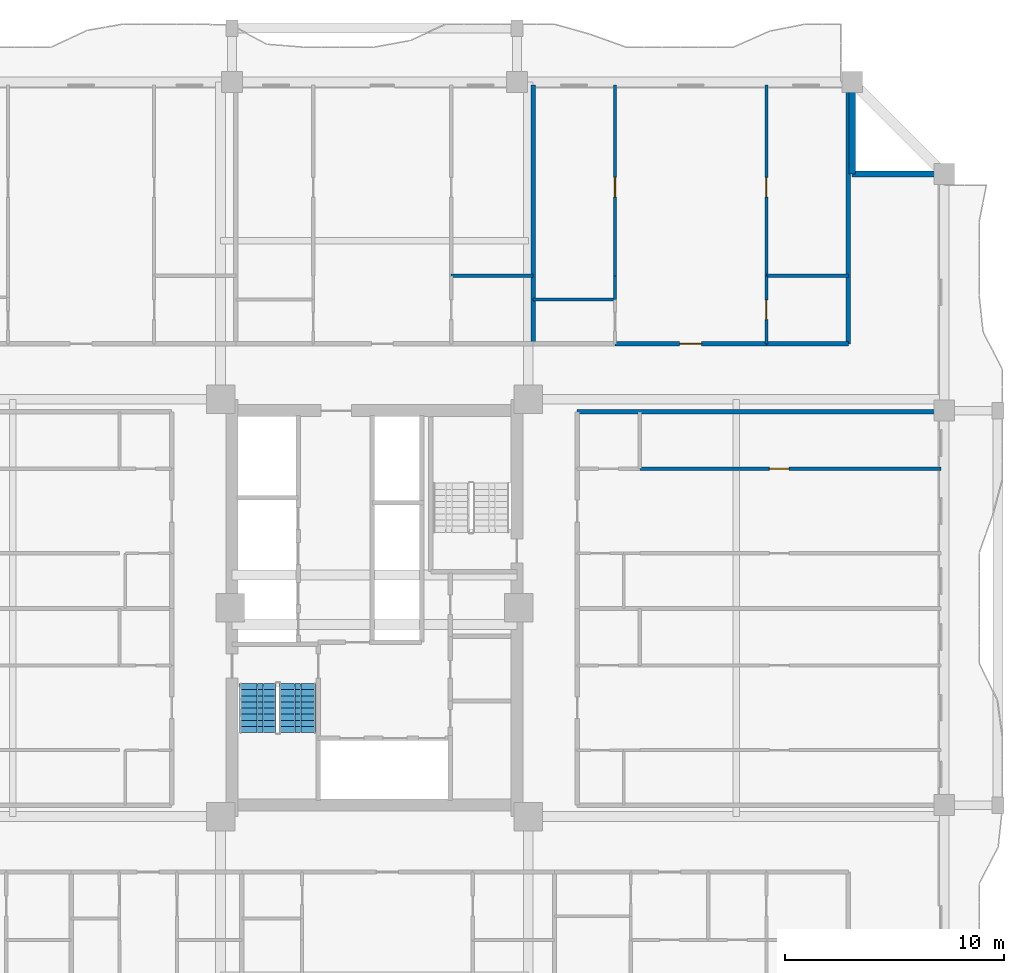
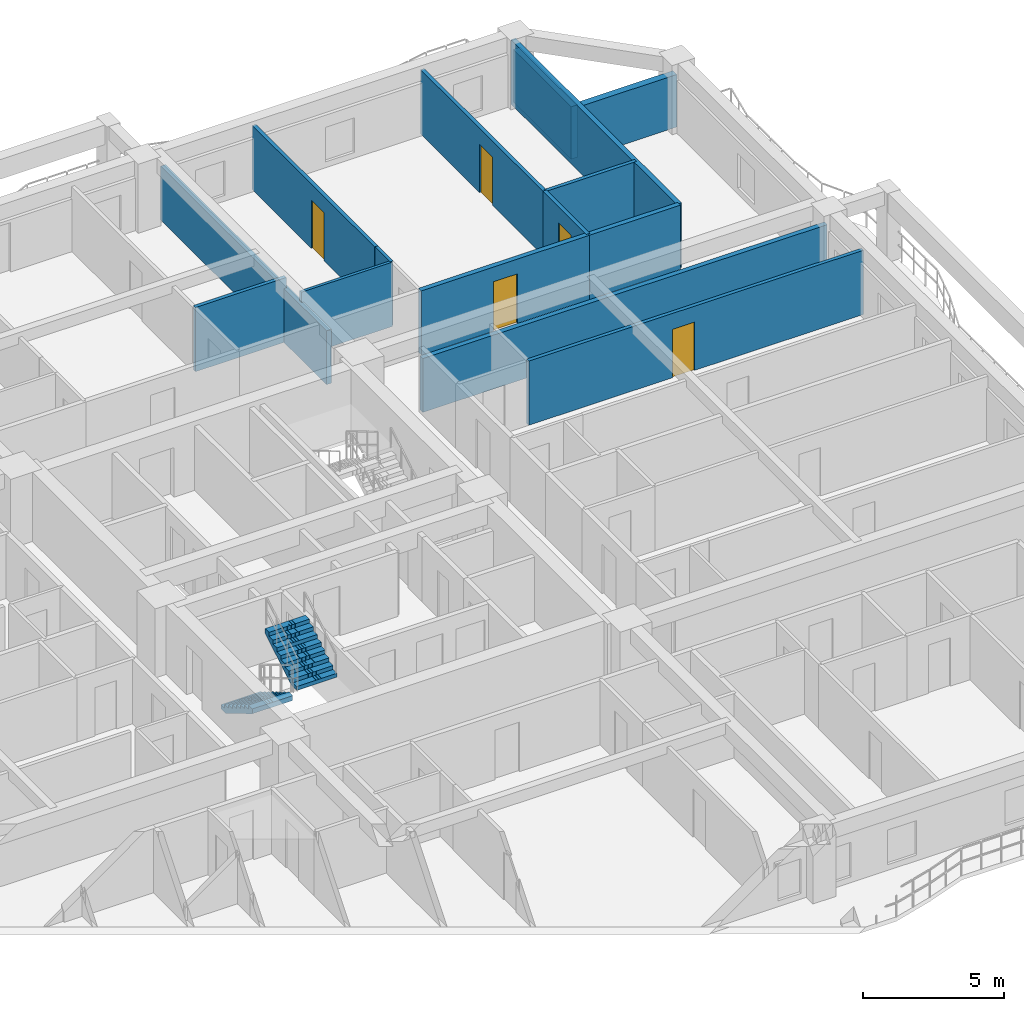
# One storey, part 8 of 15: 15 walls, 5 doors, 2 stair flights, 5 openings, 1 element without a shape of its own.
"""IFC4 building model written with IfcOpenShell, lengths in metres."""

from ifc_helpers import new_model, si_unit, direction, frame, frame_2d, origin, place, context, subcontext, project, spatial, polyline, rectangle, outline, extrude, source, transform, mapped, material, layer, layer_set, type_object, element, fill, aggregate, save


model = new_model("IFC4")

# Units and contexts
model_context = context("Model", 3, precision=1e-05, world=origin(), true_north=direction((0.0, 1.0)))
body_context = subcontext(model_context, "Body", "Model", "MODEL_VIEW")
ifc_project = project(units=[si_unit("LENGTHUNIT", "METRE"), si_unit("AREAUNIT", "SQUARE_METRE"), si_unit("VOLUMEUNIT", "CUBIC_METRE"), si_unit("PLANEANGLEUNIT", "RADIAN"), si_unit("MASSUNIT", "GRAM", prefix="KILO")], contexts=[model_context])

# Site, building, storey
site_placement = place(None, origin())
site = spatial("IfcSite", under=ifc_project, at=site_placement, CompositionType="ELEMENT")
building_placement = place(site_placement, origin())
building = spatial("IfcBuilding", under=site, at=building_placement, Name="Saelheon Loggia Tower", CompositionType="ELEMENT")
storey_placement = place(building_placement, frame((0.0, 0.0, 77.85009765625)))
storey = spatial("IfcBuildingStorey", under=building, at=storey_placement, Name="L24", CompositionType="ELEMENT", Elevation=77.85009765625)

# Walls
ifc_material_1 = material(Name="Architectural Precast Concrete C40/50", Category="concrete")
ifc_layer_1 = layer(ifc_material_1, 0.280029296875)
ifc_layer_set_1 = layer_set([ifc_layer_1], Name="Architectural Precast Concrete C40/50")
wall_type_1 = type_object("IfcWallType", Name="Wall_Ext_Loggia_280", PredefinedType="SOLIDWALL", material=ifc_layer_set_1)
for number, where, z_axis, x_axis, name in (
    (1, (59.800048828125, 46.800048828125, 0.0), (0.0, 0.0, 1.0), (0.0, 1.0, 0.0), "L24 Corner Notch Precast Wall NE1"),
    (2, (59.800048828125, 46.800048828125, 0.0), (0.0, 0.0, 1.0), (1.0, 0.0, 0.0), "L24 Corner Notch Precast Wall NE2"),
):
    element("IfcWall", number, at=place(storey_placement, frame(where, z_axis=z_axis, x_axis=x_axis)), inside=storey, type_object=wall_type_1, Name=name, PredefinedType="SOLIDWALL", context=body_context, shape_type="SweptSolid", body=[
        extrude(rectangle(XDim=4.119873046875, YDim=0.280029296875, at=frame_2d((2.06005859375, 0.0))), origin(), (0.0, 0.0, 1.0), 2.27978515625),
    ])
ifc_material_2 = material(Name="Lightweight Autoclaved Aerated Concrete Block and Acoustic Gypsum", Category="concrete")
ifc_layer_2 = layer(ifc_material_2, 0.14990234375)
ifc_layer_set_2 = layer_set([ifc_layer_2], Name="Lightweight Autoclaved Aerated Concrete Block and Acoustic Gypsum")
wall_type_2 = type_object("IfcWallType", Name="Wall_Part_150", PredefinedType="PARTITIONING", material=ifc_layer_set_2)
for number, where, z_axis, x_axis, name in (
    (3, (41.5029296875, 42.14990234375, 0.0), (0.0, 0.0, 1.0), (1.0, 0.0, 0.0), "L24 N Partition V20"),
    (4, (55.884521484375, 42.14990234375, 0.0), (0.0, 0.0, 1.0), (1.0, 0.0, 0.0), "L24 N Partition V31"),
):
    element("IfcWall", number, at=place(storey_placement, frame(where, z_axis=z_axis, x_axis=x_axis)), inside=storey, type_object=wall_type_2, Name=name, PredefinedType="PARTITIONING", context=body_context, shape_type="SweptSolid", body=[
        extrude(rectangle(XDim=3.735595703125, YDim=0.14990234375, at=frame_2d((1.86767578125, 0.0))), origin(), (0.0, 0.0, 1.0), 2.789794921875),
    ])

# Wall, opening, door
wall_1_placement = place(storey_placement, frame((48.97412109375, 42.14990234375, 0.0), z_axis=(0.0, 0.0, 1.0), x_axis=(0.0, 1.0, 0.0)))
wall_1 = element("IfcWall", 5, at=wall_1_placement, inside=storey, type_object=wall_type_2, Name="L24 N Partition U34", PredefinedType="PARTITIONING", context=body_context, shape_type="SweptSolid", body=[
    extrude(rectangle(XDim=8.7001953125, YDim=0.14990234375, at=frame_2d((4.35009765625, 0.0))), origin(), (0.0, 0.0, 1.0), 2.789794921875),
])
opening_1_placement = place(wall_1_placement, frame((3.594970703125, 0.0, 0.0)))
opening_1 = element("IfcOpeningElement", 6, at=opening_1_placement, cuts=wall_1, Name="Opening D-IN2", PredefinedType="OPENING", context=body_context, shape_type="SweptSolid", body=[
    extrude(rectangle(XDim=0.89990234375, YDim=2.10009765625, at=frame_2d((0.449951171875, 1.050048828125))), frame((0.0, 0.0869140625, 0.0), z_axis=(0.0, -1.0, 0.0), x_axis=(1.0, 0.0, 0.0)), (0.0, 0.0, 1.0), 0.173828125),
])
ifc_material_3 = material(Name="Engineered Oak Flush Door", Category="timber")
door_type_1 = type_object("IfcDoorType", Name="Door_Int_900", OperationType="NOTDEFINED", PredefinedType="DOOR", material=ifc_material_3)
shared_shape_1 = source(origin(), body_context, "Body", "SweptSolid", [
    extrude(rectangle(XDim=0.89990234375, YDim=2.10009765625, at=frame_2d((0.449951171875, 1.050048828125))), frame((0.0, 0.02490234375, 0.0), z_axis=(0.0, -1.0, 0.0), x_axis=(1.0, 0.0, 0.0)), (0.0, 0.0, 1.0), 0.050048828125),
])
door_1_placement = place(opening_1_placement, origin())
door_1 = element("IfcDoor", 7, at=door_1_placement, inside=storey, type_object=door_type_1, Name="Unit U07 Bedroom 2 Door", OperationType="SINGLE_SWING_LEFT", OverallHeight=2.10009765625, OverallWidth=0.89990234375, PredefinedType="DOOR", context=body_context, shape_type="MappedRepresentation", body=[
    mapped(shared_shape_1, transform((0.0, 0.0, 0.0), scale=1.0)),
])
fill(opening_1, door_1)

wall_2_placement = place(storey_placement, frame((55.884521484375, 39.050048828125, 0.0), z_axis=(0.0, 0.0, 1.0), x_axis=(0.0, 1.0, 0.0)))
wall_2 = element("IfcWall", 8, at=wall_2_placement, inside=storey, type_object=wall_type_2, Name="L24 N Partition U35", PredefinedType="PARTITIONING", context=body_context, shape_type="SweptSolid", body=[
    extrude(rectangle(XDim=3.099853515625, YDim=0.14990234375, at=frame_2d((1.5498046875, 0.0))), origin(), (0.0, 0.0, 1.0), 2.789794921875),
])
opening_2_placement = place(wall_2_placement, frame((1.10009765625, 0.0, 0.0)))
opening_2 = element("IfcOpeningElement", 9, at=opening_2_placement, cuts=wall_2, Name="Opening D-IN2", PredefinedType="OPENING", context=body_context, shape_type="SweptSolid", body=[
    extrude(rectangle(XDim=0.89990234375, YDim=2.10009765625, at=frame_2d((0.449951171875, 1.050048828125))), frame((0.0, 0.0869140625, 0.0), z_axis=(0.0, -1.0, 0.0), x_axis=(1.0, 0.0, 0.0)), (0.0, 0.0, 1.0), 0.173828125),
])
door_2_placement = place(opening_2_placement, origin())
door_2 = element("IfcDoor", 10, at=door_2_placement, inside=storey, type_object=door_type_1, Name="Unit U07 Kitchen Door", OperationType="SINGLE_SWING_RIGHT", OverallHeight=2.10009765625, OverallWidth=0.89990234375, PredefinedType="DOOR", context=body_context, shape_type="MappedRepresentation", body=[
    mapped(shared_shape_1, transform((0.0, 0.0, 0.0), scale=1.0)),
])
fill(opening_2, door_2)

wall_3_placement = place(storey_placement, frame((55.884521484375, 42.14990234375, 0.0), z_axis=(0.0, 0.0, 1.0), x_axis=(0.0, 1.0, 0.0)))
wall_3 = element("IfcWall", 11, at=wall_3_placement, inside=storey, type_object=wall_type_2, Name="L24 N Partition U36", PredefinedType="PARTITIONING", context=body_context, shape_type="SweptSolid", body=[
    extrude(rectangle(XDim=8.7001953125, YDim=0.14990234375, at=frame_2d((4.35009765625, 0.0))), origin(), (0.0, 0.0, 1.0), 2.789794921875),
])
opening_3_placement = place(wall_3_placement, frame((3.594970703125, 0.0, 0.0)))
opening_3 = element("IfcOpeningElement", 12, at=opening_3_placement, cuts=wall_3, Name="Opening D-IN2", PredefinedType="OPENING", context=body_context, shape_type="SweptSolid", body=[
    extrude(rectangle(XDim=0.89990234375, YDim=2.10009765625, at=frame_2d((0.449951171875, 1.050048828125))), frame((0.0, 0.0869140625, 0.0), z_axis=(0.0, -1.0, 0.0), x_axis=(1.0, 0.0, 0.0)), (0.0, 0.0, 1.0), 0.173828125),
])
door_3_placement = place(opening_3_placement, origin())
door_3 = element("IfcDoor", 13, at=door_3_placement, inside=storey, type_object=door_type_1, Name="Unit U07 Bedroom 1 Door", OperationType="SINGLE_SWING_LEFT", OverallHeight=2.10009765625, OverallWidth=0.89990234375, PredefinedType="DOOR", context=body_context, shape_type="MappedRepresentation", body=[
    mapped(shared_shape_1, transform((0.0, 0.0, 0.0), scale=1.0)),
])
fill(opening_3, door_3)

wall_4_placement = place(storey_placement, frame((50.110107421875, 33.35009765625, 0.0), z_axis=(0.0, 0.0, 1.0), x_axis=(1.0, 0.0, 0.0)))
wall_4 = element("IfcWall", 14, at=wall_4_placement, inside=storey, type_object=wall_type_2, Name="L24 E Partition U23", PredefinedType="PARTITIONING", context=body_context, shape_type="SweptSolid", body=[
    extrude(rectangle(XDim=13.739990234375, YDim=0.14990234375, at=frame_2d((6.8701171875, 0.0))), origin(), (0.0, 0.0, 1.0), 2.789794921875),
])
opening_4_placement = place(wall_4_placement, frame((5.905029296875, 0.0, 0.0)))
opening_4 = element("IfcOpeningElement", 15, at=opening_4_placement, cuts=wall_4, Name="Opening D-IN2", PredefinedType="OPENING", context=body_context, shape_type="SweptSolid", body=[
    extrude(rectangle(XDim=0.89990234375, YDim=2.10009765625, at=frame_2d((0.449951171875, 1.050048828125))), frame((0.0, 0.0869140625, 0.0), z_axis=(0.0, -1.0, 0.0), x_axis=(1.0, 0.0, 0.0)), (0.0, 0.0, 1.0), 0.173828125),
])
door_4_placement = place(opening_4_placement, origin())
door_4 = element("IfcDoor", 16, at=door_4_placement, inside=storey, type_object=door_type_1, Name="Unit U11 Bedroom 1 Door", OperationType="SINGLE_SWING_LEFT", OverallHeight=2.10009765625, OverallWidth=0.89990234375, PredefinedType="DOOR", context=body_context, shape_type="MappedRepresentation", body=[
    mapped(shared_shape_1, transform((0.0, 0.0, 0.0), scale=1.0)),
])
fill(opening_4, door_4)

# Walls
ifc_material_4 = material(Name="Double Acoustic Stud and Fireboard Partition", Category="gypsum")
ifc_layer_3 = layer(ifc_material_4, 0.199951171875)
ifc_layer_set_3 = layer_set([ifc_layer_3], Name="Double Acoustic Stud and Fireboard Partition")
wall_type_3 = type_object("IfcWallType", Name="Wall_Party_200", PredefinedType="PARTITIONING", material=ifc_layer_set_3)
wall_5_placement = place(storey_placement, frame((59.6201171875, 39.050048828125, 0.0), z_axis=(0.0, 0.0, 1.0), x_axis=(0.0, 1.0, 0.0)))
element("IfcWall", 17, at=wall_5_placement, inside=storey, type_object=wall_type_3, Name="L24 N Partition U02", PredefinedType="PARTITIONING", context=body_context, shape_type="SweptSolid", body=[
    extrude(rectangle(XDim=11.800048828125, YDim=0.199951171875, at=frame_2d((5.89990234375, 0.0))), origin(), (0.0, 0.0, 1.0), 2.789794921875),
])
wall_6_placement = place(storey_placement, frame((45.238525390625, 39.050048828125, 0.0), z_axis=(0.0, 0.0, 1.0), x_axis=(0.0, 1.0, 0.0)))
element("IfcWall", 18, at=wall_6_placement, inside=storey, type_object=wall_type_3, Name="L24 N Partition U26", PredefinedType="PARTITIONING", context=body_context, shape_type="SweptSolid", body=[
    extrude(rectangle(XDim=11.800048828125, YDim=0.199951171875, at=frame_2d((5.89990234375, 0.0))), origin(), (0.0, 0.0, 1.0), 2.33984375),
])

# Wall, opening, door
wall_7_placement = place(storey_placement, frame((48.97412109375, 39.050048828125, 0.0), z_axis=(0.0, 0.0, 1.0), x_axis=(1.0, 0.0, 0.0)))
wall_7 = element("IfcWall", 19, at=wall_7_placement, inside=storey, type_object=wall_type_3, Name="L24 N Partition V28", PredefinedType="PARTITIONING", context=body_context, shape_type="SweptSolid", body=[
    extrude(rectangle(XDim=6.910400390625, YDim=0.199951171875, at=frame_2d((3.455078125, 0.0))), origin(), (0.0, 0.0, 1.0), 2.789794921875),
])
opening_5_placement = place(wall_7_placement, frame((2.955078125, 0.0, 0.0)))
opening_5 = element("IfcOpeningElement", 20, at=opening_5_placement, cuts=wall_7, Name="Opening D-FD1", PredefinedType="OPENING", context=body_context, shape_type="SweptSolid", body=[
    extrude(rectangle(XDim=1.0, YDim=2.14990234375, at=frame_2d((0.5, 1.074951171875))), frame((0.0, 0.112060546875, 0.0), z_axis=(0.0, -1.0, 0.0), x_axis=(1.0, 0.0, 0.0)), (0.0, 0.0, 1.0), 0.223876953125),
])
ifc_material_5 = material(Name="Fire-Rated Engineered Timber Entrance Door", Category="wood")
door_type_2 = type_object("IfcDoorType", Name="Door_Flat_FD30S", OperationType="NOTDEFINED", PredefinedType="DOOR", material=ifc_material_5)
shared_shape_2 = source(origin(), body_context, "Body", "SweptSolid", [
    extrude(rectangle(XDim=1.0, YDim=2.14990234375, at=frame_2d((0.5, 1.074951171875))), frame((0.0, 0.02490234375, 0.0), z_axis=(0.0, -1.0, 0.0), x_axis=(1.0, 0.0, 0.0)), (0.0, 0.0, 1.0), 0.050048828125),
])
door_5_placement = place(opening_5_placement, origin())
door_5 = element("IfcDoor", 21, at=door_5_placement, inside=storey, type_object=door_type_2, Name="Unit U07 Entrance Door", OperationType="SINGLE_SWING_LEFT", OverallHeight=2.14990234375, OverallWidth=1.0, PredefinedType="DOOR", context=body_context, shape_type="MappedRepresentation", body=[
    mapped(shared_shape_2, transform((0.0, 0.0, 0.0), scale=1.0)),
])
fill(opening_5, door_5)

# Walls
wall_8_placement = place(storey_placement, frame((55.884521484375, 39.050048828125, 0.0), z_axis=(0.0, 0.0, 1.0), x_axis=(1.0, 0.0, 0.0)))
element("IfcWall", 22, at=wall_8_placement, inside=storey, type_object=wall_type_3, Name="L24 N Partition V29", PredefinedType="PARTITIONING", context=body_context, shape_type="SweptSolid", body=[
    extrude(rectangle(XDim=3.735595703125, YDim=0.199951171875, at=frame_2d((1.86767578125, 0.0))), origin(), (0.0, 0.0, 1.0), 2.789794921875),
])
wall_9_placement = place(storey_placement, frame((47.25, 35.949951171875, 0.0), z_axis=(0.0, 0.0, 1.0), x_axis=(1.0, 0.0, 0.0)))
element("IfcWall", 23, at=wall_9_placement, inside=storey, type_object=wall_type_3, Name="L24 E Partition U02", PredefinedType="PARTITIONING", context=body_context, shape_type="SweptSolid", body=[
    extrude(rectangle(XDim=16.60009765625, YDim=0.199951171875, at=frame_2d((8.300048828125, 0.0))), origin(), (0.0, 0.0, 1.0), 2.33984375),
])
ifc_material_6 = material(Name="Moisture-Resistant Cement Board Partition", Category="gypsum")
ifc_layer_4 = layer(ifc_material_6, 0.1201171875)
ifc_layer_set_4 = layer_set([ifc_layer_4], Name="Moisture-Resistant Cement Board Partition")
wall_type_4 = type_object("IfcWallType", Name="Wall_WetPart_120", PredefinedType="PARTITIONING", material=ifc_layer_set_4)
wall_10_placement = place(storey_placement, frame((45.238525390625, 41.070068359375, 0.0), z_axis=(0.0, 0.0, 1.0), x_axis=(1.0, 0.0, 0.0)))
element("IfcWall", 24, at=wall_10_placement, inside=storey, type_object=wall_type_4, Name="L24 N Partition V30", PredefinedType="PARTITIONING", context=body_context, shape_type="SweptSolid", body=[
    extrude(rectangle(XDim=3.735595703125, YDim=0.1201171875, at=frame_2d((1.86767578125, 0.0))), origin(), (0.0, 0.0, 1.0), 2.789794921875),
])
wall_11_placement = place(storey_placement, frame((48.97412109375, 41.070068359375, 0.0), z_axis=(0.0, 0.0, 1.0), x_axis=(0.0, 1.0, 0.0)))
element("IfcWall", 25, at=wall_11_placement, inside=storey, type_object=wall_type_4, Name="L24 N Partition U33", PredefinedType="PARTITIONING", context=body_context, shape_type="SweptSolid", body=[
    extrude(rectangle(XDim=1.079833984375, YDim=0.1201171875, at=frame_2d((0.5400390625, 0.0))), origin(), (0.0, 0.0, 1.0), 2.789794921875),
])

# Stair, stair flights
ifc_material_7 = material(Name="Concrete C40/50", Category="concrete")
stair_type = type_object("IfcStairType", Name="Stair_Escape_Core", PredefinedType="HALF_TURN_STAIR", material=ifc_material_7)
stair_placement = place(storey_placement, origin())
stair = element("IfcStair", 26, at=stair_placement, inside=storey, type_object=stair_type, Name="L24 Special Escape Stair ST1", PredefinedType="HALF_TURN_STAIR")
stair_flight_type = type_object("IfcStairFlightType", Name="StairFlight_Tower_1660", PredefinedType="STRAIGHT", material=ifc_material_7)
stair_flight_1_placement = place(storey_placement, frame((32.679931640625, 23.550048828125, 0.0), z_axis=(0.0, 0.0, 1.0), x_axis=(0.0, -1.0, 0.0)))
stair_flight_1 = element("IfcStairFlight", 27, at=stair_flight_1_placement, type_object=stair_flight_type, Name="ST1 flight 1", NumberOfRisers=9, NumberOfTreads=8, PredefinedType="STRAIGHT", RiserHeight=0.166666667, TreadLength=0.28, context=body_context, shape_type="SweptSolid", body=[
    extrude(outline(polyline([(0.0, 0.0), (0.0, 0.166748046875), (0.280029296875, 0.166748046875), (0.280029296875, 0.333251953125), (0.56005859375, 0.333251953125), (0.56005859375, 0.5), (0.840087890625, 0.5), (0.840087890625, 0.666748046875), (1.1201171875, 0.666748046875), (1.1201171875, 0.833251953125), (1.39990234375, 0.833251953125), (1.39990234375, 1.0), (1.679931640625, 1.0), (1.679931640625, 1.166748046875), (1.9599609375, 1.166748046875), (1.9599609375, 1.333251953125), (2.239990234375, 1.333251953125), (2.239990234375, 1.5), (2.239990234375, 1.1240234375), (0.351806640625, 0.0), (0.0, 0.0)])), frame((0.0, -0.2490234375, 0.0), z_axis=(0.0, -1.0, 0.0), x_axis=(1.0, 0.0, 0.0)), (0.0, 0.0, 1.0), 0.5810546875),
    extrude(outline(polyline([(0.0, 0.0), (0.0, 0.166748046875), (0.280029296875, 0.166748046875), (0.280029296875, 0.333251953125), (0.56005859375, 0.333251953125), (0.56005859375, 0.5), (0.840087890625, 0.5), (0.840087890625, 0.666748046875), (1.1201171875, 0.666748046875), (1.1201171875, 0.833251953125), (1.39990234375, 0.833251953125), (1.39990234375, 1.0), (1.679931640625, 1.0), (1.679931640625, 1.166748046875), (1.9599609375, 1.166748046875), (1.9599609375, 1.333251953125), (2.239990234375, 1.333251953125), (2.239990234375, 1.5), (2.239990234375, 1.1240234375), (0.351806640625, 0.0), (0.0, 0.0)])), frame((0.0, -0.194091796875, 0.0), z_axis=(0.0, -1.0, 0.0), x_axis=(1.0, 0.0, 0.0)), (0.0, 0.0, 1.0), 0.0498046875),
    extrude(outline(polyline([(0.0, 0.0), (0.0, 0.166748046875), (0.280029296875, 0.166748046875), (0.280029296875, 0.333251953125), (0.56005859375, 0.333251953125), (0.56005859375, 0.5), (0.840087890625, 0.5), (0.840087890625, 0.666748046875), (1.1201171875, 0.666748046875), (1.1201171875, 0.833251953125), (1.39990234375, 0.833251953125), (1.39990234375, 1.0), (1.679931640625, 1.0), (1.679931640625, 1.166748046875), (1.9599609375, 1.166748046875), (1.9599609375, 1.333251953125), (2.239990234375, 1.333251953125), (2.239990234375, 1.5), (2.239990234375, 1.1240234375), (0.351806640625, 0.0), (0.0, 0.0)])), frame((0.0, -0.139404296875, 0.0), z_axis=(0.0, -1.0, 0.0), x_axis=(1.0, 0.0, 0.0)), (0.0, 0.0, 1.0), 0.0498046875),
    extrude(outline(polyline([(0.0, 0.0), (0.0, 0.166748046875), (0.280029296875, 0.166748046875), (0.280029296875, 0.333251953125), (0.56005859375, 0.333251953125), (0.56005859375, 0.5), (0.840087890625, 0.5), (0.840087890625, 0.666748046875), (1.1201171875, 0.666748046875), (1.1201171875, 0.833251953125), (1.39990234375, 0.833251953125), (1.39990234375, 1.0), (1.679931640625, 1.0), (1.679931640625, 1.166748046875), (1.9599609375, 1.166748046875), (1.9599609375, 1.333251953125), (2.239990234375, 1.333251953125), (2.239990234375, 1.5), (2.239990234375, 1.1240234375), (0.351806640625, 0.0), (0.0, 0.0)])), frame((0.0, -0.084716796875, 0.0), z_axis=(0.0, -1.0, 0.0), x_axis=(1.0, 0.0, 0.0)), (0.0, 0.0, 1.0), 0.0498046875),
    extrude(outline(polyline([(0.0, 0.0), (0.0, 0.166748046875), (0.280029296875, 0.166748046875), (0.280029296875, 0.333251953125), (0.56005859375, 0.333251953125), (0.56005859375, 0.5), (0.840087890625, 0.5), (0.840087890625, 0.666748046875), (1.1201171875, 0.666748046875), (1.1201171875, 0.833251953125), (1.39990234375, 0.833251953125), (1.39990234375, 1.0), (1.679931640625, 1.0), (1.679931640625, 1.166748046875), (1.9599609375, 1.166748046875), (1.9599609375, 1.333251953125), (2.239990234375, 1.333251953125), (2.239990234375, 1.5), (2.239990234375, 1.1240234375), (0.351806640625, 0.0), (0.0, 0.0)])), frame((0.0, -0.02978515625, 0.0), z_axis=(0.0, -1.0, 0.0), x_axis=(1.0, 0.0, 0.0)), (0.0, 0.0, 1.0), 0.0498046875),
    extrude(outline(polyline([(0.0, 0.0), (0.0, 0.166748046875), (0.280029296875, 0.166748046875), (0.280029296875, 0.333251953125), (0.56005859375, 0.333251953125), (0.56005859375, 0.5), (0.840087890625, 0.5), (0.840087890625, 0.666748046875), (1.1201171875, 0.666748046875), (1.1201171875, 0.833251953125), (1.39990234375, 0.833251953125), (1.39990234375, 1.0), (1.679931640625, 1.0), (1.679931640625, 1.166748046875), (1.9599609375, 1.166748046875), (1.9599609375, 1.333251953125), (2.239990234375, 1.333251953125), (2.239990234375, 1.5), (2.239990234375, 1.1240234375), (0.351806640625, 0.0), (0.0, 0.0)])), frame((0.0, 0.02490234375, 0.0), z_axis=(0.0, -1.0, 0.0), x_axis=(1.0, 0.0, 0.0)), (0.0, 0.0, 1.0), 0.0498046875),
    extrude(outline(polyline([(0.0, 0.0), (0.0, 0.166748046875), (0.280029296875, 0.166748046875), (0.280029296875, 0.333251953125), (0.56005859375, 0.333251953125), (0.56005859375, 0.5), (0.840087890625, 0.5), (0.840087890625, 0.666748046875), (1.1201171875, 0.666748046875), (1.1201171875, 0.833251953125), (1.39990234375, 0.833251953125), (1.39990234375, 1.0), (1.679931640625, 1.0), (1.679931640625, 1.166748046875), (1.9599609375, 1.166748046875), (1.9599609375, 1.333251953125), (2.239990234375, 1.333251953125), (2.239990234375, 1.5), (2.239990234375, 1.1240234375), (0.351806640625, 0.0), (0.0, 0.0)])), frame((0.0, 0.07958984375, 0.0), z_axis=(0.0, -1.0, 0.0), x_axis=(1.0, 0.0, 0.0)), (0.0, 0.0, 1.0), 0.0498046875),
    extrude(outline(polyline([(0.0, 0.0), (0.0, 0.166748046875), (0.280029296875, 0.166748046875), (0.280029296875, 0.333251953125), (0.56005859375, 0.333251953125), (0.56005859375, 0.5), (0.840087890625, 0.5), (0.840087890625, 0.666748046875), (1.1201171875, 0.666748046875), (1.1201171875, 0.833251953125), (1.39990234375, 0.833251953125), (1.39990234375, 1.0), (1.679931640625, 1.0), (1.679931640625, 1.166748046875), (1.9599609375, 1.166748046875), (1.9599609375, 1.333251953125), (2.239990234375, 1.333251953125), (2.239990234375, 1.5), (2.239990234375, 1.1240234375), (0.351806640625, 0.0), (0.0, 0.0)])), frame((0.0, 0.134521484375, 0.0), z_axis=(0.0, -1.0, 0.0), x_axis=(1.0, 0.0, 0.0)), (0.0, 0.0, 1.0), 0.0498046875),
    extrude(outline(polyline([(0.0, 0.0), (0.0, 0.166748046875), (0.280029296875, 0.166748046875), (0.280029296875, 0.333251953125), (0.56005859375, 0.333251953125), (0.56005859375, 0.5), (0.840087890625, 0.5), (0.840087890625, 0.666748046875), (1.1201171875, 0.666748046875), (1.1201171875, 0.833251953125), (1.39990234375, 0.833251953125), (1.39990234375, 1.0), (1.679931640625, 1.0), (1.679931640625, 1.166748046875), (1.9599609375, 1.166748046875), (1.9599609375, 1.333251953125), (2.239990234375, 1.333251953125), (2.239990234375, 1.5), (2.239990234375, 1.1240234375), (0.351806640625, 0.0), (0.0, 0.0)])), frame((0.0, 0.189208984375, 0.0), z_axis=(0.0, -1.0, 0.0), x_axis=(1.0, 0.0, 0.0)), (0.0, 0.0, 1.0), 0.0498046875),
    extrude(outline(polyline([(0.0, 0.0), (0.0, 0.166748046875), (0.280029296875, 0.166748046875), (0.280029296875, 0.333251953125), (0.56005859375, 0.333251953125), (0.56005859375, 0.5), (0.840087890625, 0.5), (0.840087890625, 0.666748046875), (1.1201171875, 0.666748046875), (1.1201171875, 0.833251953125), (1.39990234375, 0.833251953125), (1.39990234375, 1.0), (1.679931640625, 1.0), (1.679931640625, 1.166748046875), (1.9599609375, 1.166748046875), (1.9599609375, 1.333251953125), (2.239990234375, 1.333251953125), (2.239990234375, 1.5), (2.239990234375, 1.1240234375), (0.351806640625, 0.0), (0.0, 0.0)])), frame((0.0, 0.243896484375, 0.0), z_axis=(0.0, -1.0, 0.0), x_axis=(1.0, 0.0, 0.0)), (0.0, 0.0, 1.0), 0.0498046875),
    extrude(outline(polyline([(0.0, 0.0), (0.0, 0.166748046875), (0.280029296875, 0.166748046875), (0.280029296875, 0.333251953125), (0.56005859375, 0.333251953125), (0.56005859375, 0.5), (0.840087890625, 0.5), (0.840087890625, 0.666748046875), (1.1201171875, 0.666748046875), (1.1201171875, 0.833251953125), (1.39990234375, 0.833251953125), (1.39990234375, 1.0), (1.679931640625, 1.0), (1.679931640625, 1.166748046875), (1.9599609375, 1.166748046875), (1.9599609375, 1.333251953125), (2.239990234375, 1.333251953125), (2.239990234375, 1.5), (2.239990234375, 1.1240234375), (0.351806640625, 0.0), (0.0, 0.0)])), frame((0.0, 0.830078125, 0.0), z_axis=(0.0, -1.0, 0.0), x_axis=(1.0, 0.0, 0.0)), (0.0, 0.0, 1.0), 0.5810546875),
])
stair_flight_2_placement = place(storey_placement, frame((34.5, 21.31005859375, 1.5), z_axis=(0.0, 0.0, 1.0), x_axis=(0.0, 1.0, 0.0)))
stair_flight_2 = element("IfcStairFlight", 28, at=stair_flight_2_placement, type_object=stair_flight_type, Name="ST1 flight 2", NumberOfRisers=9, NumberOfTreads=8, PredefinedType="STRAIGHT", RiserHeight=0.166666667, TreadLength=0.28, context=body_context, shape_type="SweptSolid", body=[
    extrude(outline(polyline([(0.0, 0.0), (0.0, 0.166748046875), (0.280029296875, 0.166748046875), (0.280029296875, 0.333251953125), (0.56005859375, 0.333251953125), (0.56005859375, 0.5), (0.840087890625, 0.5), (0.840087890625, 0.666748046875), (1.1201171875, 0.666748046875), (1.1201171875, 0.833251953125), (1.39990234375, 0.833251953125), (1.39990234375, 1.0), (1.679931640625, 1.0), (1.679931640625, 1.166748046875), (1.9599609375, 1.166748046875), (1.9599609375, 1.333251953125), (2.239990234375, 1.333251953125), (2.239990234375, 1.5), (2.239990234375, 1.1240234375), (0.351806640625, 0.0), (0.0, 0.0)])), frame((0.0, -0.2490234375, 0.0), z_axis=(0.0, -1.0, 0.0), x_axis=(1.0, 0.0, 0.0)), (0.0, 0.0, 1.0), 0.5810546875),
    extrude(outline(polyline([(0.0, 0.0), (0.0, 0.166748046875), (0.280029296875, 0.166748046875), (0.280029296875, 0.333251953125), (0.56005859375, 0.333251953125), (0.56005859375, 0.5), (0.840087890625, 0.5), (0.840087890625, 0.666748046875), (1.1201171875, 0.666748046875), (1.1201171875, 0.833251953125), (1.39990234375, 0.833251953125), (1.39990234375, 1.0), (1.679931640625, 1.0), (1.679931640625, 1.166748046875), (1.9599609375, 1.166748046875), (1.9599609375, 1.333251953125), (2.239990234375, 1.333251953125), (2.239990234375, 1.5), (2.239990234375, 1.1240234375), (0.351806640625, 0.0), (0.0, 0.0)])), frame((0.0, -0.194091796875, 0.0), z_axis=(0.0, -1.0, 0.0), x_axis=(1.0, 0.0, 0.0)), (0.0, 0.0, 1.0), 0.0498046875),
    extrude(outline(polyline([(0.0, 0.0), (0.0, 0.166748046875), (0.280029296875, 0.166748046875), (0.280029296875, 0.333251953125), (0.56005859375, 0.333251953125), (0.56005859375, 0.5), (0.840087890625, 0.5), (0.840087890625, 0.666748046875), (1.1201171875, 0.666748046875), (1.1201171875, 0.833251953125), (1.39990234375, 0.833251953125), (1.39990234375, 1.0), (1.679931640625, 1.0), (1.679931640625, 1.166748046875), (1.9599609375, 1.166748046875), (1.9599609375, 1.333251953125), (2.239990234375, 1.333251953125), (2.239990234375, 1.5), (2.239990234375, 1.1240234375), (0.351806640625, 0.0), (0.0, 0.0)])), frame((0.0, -0.139404296875, 0.0), z_axis=(0.0, -1.0, 0.0), x_axis=(1.0, 0.0, 0.0)), (0.0, 0.0, 1.0), 0.0498046875),
    extrude(outline(polyline([(0.0, 0.0), (0.0, 0.166748046875), (0.280029296875, 0.166748046875), (0.280029296875, 0.333251953125), (0.56005859375, 0.333251953125), (0.56005859375, 0.5), (0.840087890625, 0.5), (0.840087890625, 0.666748046875), (1.1201171875, 0.666748046875), (1.1201171875, 0.833251953125), (1.39990234375, 0.833251953125), (1.39990234375, 1.0), (1.679931640625, 1.0), (1.679931640625, 1.166748046875), (1.9599609375, 1.166748046875), (1.9599609375, 1.333251953125), (2.239990234375, 1.333251953125), (2.239990234375, 1.5), (2.239990234375, 1.1240234375), (0.351806640625, 0.0), (0.0, 0.0)])), frame((0.0, -0.084716796875, 0.0), z_axis=(0.0, -1.0, 0.0), x_axis=(1.0, 0.0, 0.0)), (0.0, 0.0, 1.0), 0.0498046875),
    extrude(outline(polyline([(0.0, 0.0), (0.0, 0.166748046875), (0.280029296875, 0.166748046875), (0.280029296875, 0.333251953125), (0.56005859375, 0.333251953125), (0.56005859375, 0.5), (0.840087890625, 0.5), (0.840087890625, 0.666748046875), (1.1201171875, 0.666748046875), (1.1201171875, 0.833251953125), (1.39990234375, 0.833251953125), (1.39990234375, 1.0), (1.679931640625, 1.0), (1.679931640625, 1.166748046875), (1.9599609375, 1.166748046875), (1.9599609375, 1.333251953125), (2.239990234375, 1.333251953125), (2.239990234375, 1.5), (2.239990234375, 1.1240234375), (0.351806640625, 0.0), (0.0, 0.0)])), frame((0.0, -0.02978515625, 0.0), z_axis=(0.0, -1.0, 0.0), x_axis=(1.0, 0.0, 0.0)), (0.0, 0.0, 1.0), 0.0498046875),
    extrude(outline(polyline([(0.0, 0.0), (0.0, 0.166748046875), (0.280029296875, 0.166748046875), (0.280029296875, 0.333251953125), (0.56005859375, 0.333251953125), (0.56005859375, 0.5), (0.840087890625, 0.5), (0.840087890625, 0.666748046875), (1.1201171875, 0.666748046875), (1.1201171875, 0.833251953125), (1.39990234375, 0.833251953125), (1.39990234375, 1.0), (1.679931640625, 1.0), (1.679931640625, 1.166748046875), (1.9599609375, 1.166748046875), (1.9599609375, 1.333251953125), (2.239990234375, 1.333251953125), (2.239990234375, 1.5), (2.239990234375, 1.1240234375), (0.351806640625, 0.0), (0.0, 0.0)])), frame((0.0, 0.02490234375, 0.0), z_axis=(0.0, -1.0, 0.0), x_axis=(1.0, 0.0, 0.0)), (0.0, 0.0, 1.0), 0.0498046875),
    extrude(outline(polyline([(0.0, 0.0), (0.0, 0.166748046875), (0.280029296875, 0.166748046875), (0.280029296875, 0.333251953125), (0.56005859375, 0.333251953125), (0.56005859375, 0.5), (0.840087890625, 0.5), (0.840087890625, 0.666748046875), (1.1201171875, 0.666748046875), (1.1201171875, 0.833251953125), (1.39990234375, 0.833251953125), (1.39990234375, 1.0), (1.679931640625, 1.0), (1.679931640625, 1.166748046875), (1.9599609375, 1.166748046875), (1.9599609375, 1.333251953125), (2.239990234375, 1.333251953125), (2.239990234375, 1.5), (2.239990234375, 1.1240234375), (0.351806640625, 0.0), (0.0, 0.0)])), frame((0.0, 0.07958984375, 0.0), z_axis=(0.0, -1.0, 0.0), x_axis=(1.0, 0.0, 0.0)), (0.0, 0.0, 1.0), 0.0498046875),
    extrude(outline(polyline([(0.0, 0.0), (0.0, 0.166748046875), (0.280029296875, 0.166748046875), (0.280029296875, 0.333251953125), (0.56005859375, 0.333251953125), (0.56005859375, 0.5), (0.840087890625, 0.5), (0.840087890625, 0.666748046875), (1.1201171875, 0.666748046875), (1.1201171875, 0.833251953125), (1.39990234375, 0.833251953125), (1.39990234375, 1.0), (1.679931640625, 1.0), (1.679931640625, 1.166748046875), (1.9599609375, 1.166748046875), (1.9599609375, 1.333251953125), (2.239990234375, 1.333251953125), (2.239990234375, 1.5), (2.239990234375, 1.1240234375), (0.351806640625, 0.0), (0.0, 0.0)])), frame((0.0, 0.134521484375, 0.0), z_axis=(0.0, -1.0, 0.0), x_axis=(1.0, 0.0, 0.0)), (0.0, 0.0, 1.0), 0.0498046875),
    extrude(outline(polyline([(0.0, 0.0), (0.0, 0.166748046875), (0.280029296875, 0.166748046875), (0.280029296875, 0.333251953125), (0.56005859375, 0.333251953125), (0.56005859375, 0.5), (0.840087890625, 0.5), (0.840087890625, 0.666748046875), (1.1201171875, 0.666748046875), (1.1201171875, 0.833251953125), (1.39990234375, 0.833251953125), (1.39990234375, 1.0), (1.679931640625, 1.0), (1.679931640625, 1.166748046875), (1.9599609375, 1.166748046875), (1.9599609375, 1.333251953125), (2.239990234375, 1.333251953125), (2.239990234375, 1.5), (2.239990234375, 1.1240234375), (0.351806640625, 0.0), (0.0, 0.0)])), frame((0.0, 0.189208984375, 0.0), z_axis=(0.0, -1.0, 0.0), x_axis=(1.0, 0.0, 0.0)), (0.0, 0.0, 1.0), 0.0498046875),
    extrude(outline(polyline([(0.0, 0.0), (0.0, 0.166748046875), (0.280029296875, 0.166748046875), (0.280029296875, 0.333251953125), (0.56005859375, 0.333251953125), (0.56005859375, 0.5), (0.840087890625, 0.5), (0.840087890625, 0.666748046875), (1.1201171875, 0.666748046875), (1.1201171875, 0.833251953125), (1.39990234375, 0.833251953125), (1.39990234375, 1.0), (1.679931640625, 1.0), (1.679931640625, 1.166748046875), (1.9599609375, 1.166748046875), (1.9599609375, 1.333251953125), (2.239990234375, 1.333251953125), (2.239990234375, 1.5), (2.239990234375, 1.1240234375), (0.351806640625, 0.0), (0.0, 0.0)])), frame((0.0, 0.243896484375, 0.0), z_axis=(0.0, -1.0, 0.0), x_axis=(1.0, 0.0, 0.0)), (0.0, 0.0, 1.0), 0.0498046875),
    extrude(outline(polyline([(0.0, 0.0), (0.0, 0.166748046875), (0.280029296875, 0.166748046875), (0.280029296875, 0.333251953125), (0.56005859375, 0.333251953125), (0.56005859375, 0.5), (0.840087890625, 0.5), (0.840087890625, 0.666748046875), (1.1201171875, 0.666748046875), (1.1201171875, 0.833251953125), (1.39990234375, 0.833251953125), (1.39990234375, 1.0), (1.679931640625, 1.0), (1.679931640625, 1.166748046875), (1.9599609375, 1.166748046875), (1.9599609375, 1.333251953125), (2.239990234375, 1.333251953125), (2.239990234375, 1.5), (2.239990234375, 1.1240234375), (0.351806640625, 0.0), (0.0, 0.0)])), frame((0.0, 0.830078125, 0.0), z_axis=(0.0, -1.0, 0.0), x_axis=(1.0, 0.0, 0.0)), (0.0, 0.0, 1.0), 0.5810546875),
])
aggregate(stair, [stair_flight_1, stair_flight_2])

save(model, "model.ifc")
